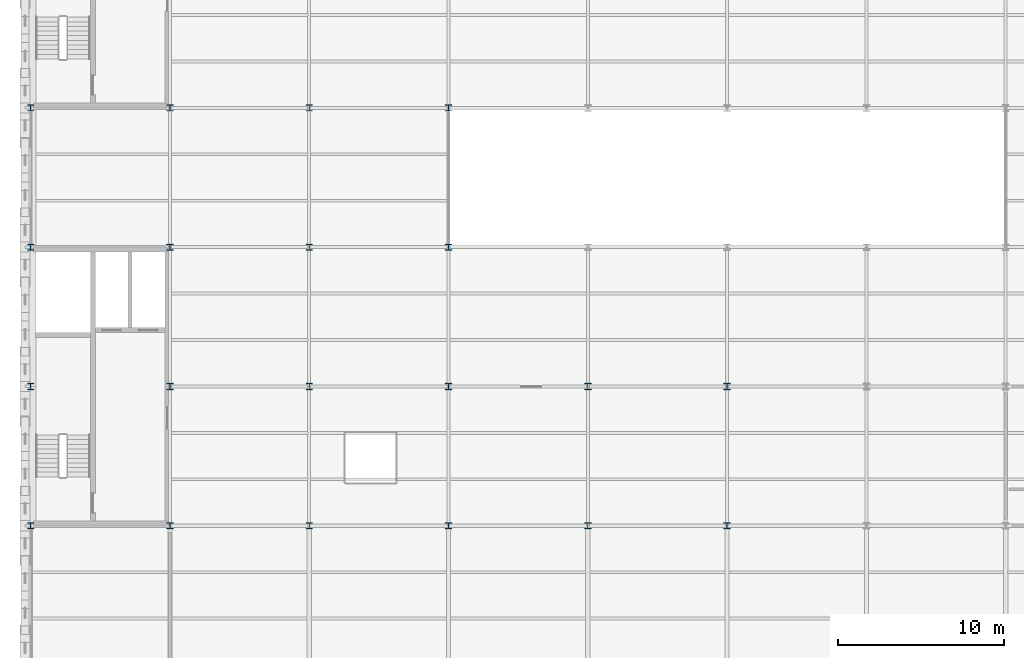
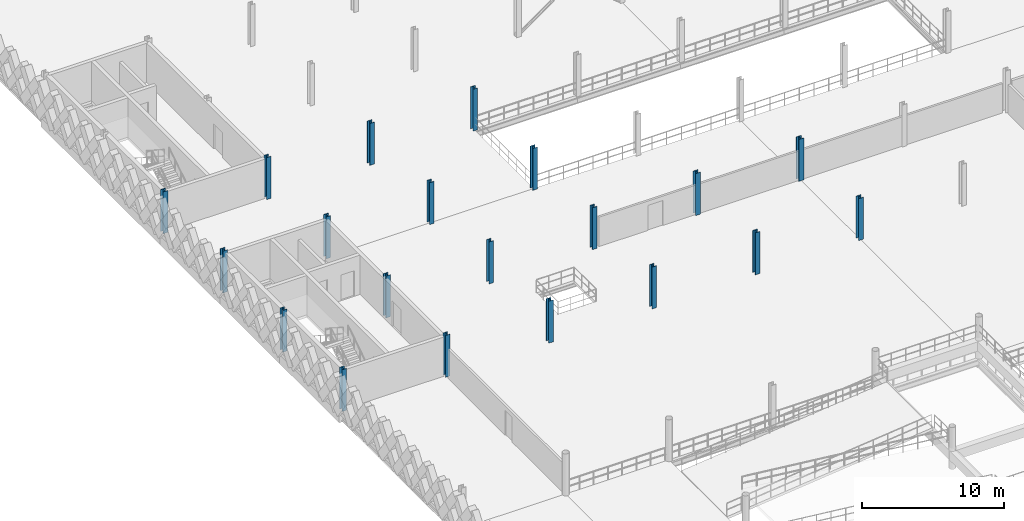
# One storey, part 3 of 79: 20 columns.
"""IFC4 building model written with IfcOpenShell, lengths in metres."""

from ifc_helpers import new_model, si_unit, direction, frame, origin, origin_2d, place, context, subcontext, project, spatial, i_section, extrude, material, material_profile, profile_set, type_object, element, save


model = new_model("IFC4")

# Units and contexts
model_context = context("Model", 3, precision=1e-05, world=origin(), true_north=direction((0.0, 1.0)))
body_context = subcontext(model_context, "Body", "Model", "MODEL_VIEW")
ifc_project = project(units=[si_unit("LENGTHUNIT", "METRE"), si_unit("AREAUNIT", "SQUARE_METRE"), si_unit("VOLUMEUNIT", "CUBIC_METRE"), si_unit("PLANEANGLEUNIT", "RADIAN"), si_unit("MASSUNIT", "GRAM", prefix="KILO"), si_unit("THERMODYNAMICTEMPERATUREUNIT", "KELVIN"), si_unit("POWERUNIT", "WATT")], contexts=[model_context])

# Site, building, storey
site_placement = place(None, origin())
site = spatial("IfcSite", under=ifc_project, at=site_placement, CompositionType="ELEMENT")
building_placement = place(site_placement, origin())
building = spatial("IfcBuilding", under=site, at=building_placement, Name="Tembeka Court Mobility Hub", CompositionType="ELEMENT")
storey_placement = place(building_placement, frame((0.0, 0.0, 9.0)))
storey = spatial("IfcBuildingStorey", under=building, at=storey_placement, Name="L02", CompositionType="ELEMENT", Elevation=9.0)

# Columns
ifc_material = material(Name="Steel S355", Category="steel")
ifc_material_profile_1 = material_profile(ifc_material, i_section(OverallWidth=0.39501953125, OverallDepth=0.381103515625, WebThickness=0.018310546875, FlangeThickness=0.0302734375, FilletRadius=0.01513671875, at=origin_2d()), Name="UKC 356x406x235")
ifc_profile_set_1 = profile_set([ifc_material_profile_1], Name="Steel S355")
column_type_1 = type_object("IfcColumnType", Name="COL-C02", PredefinedType="COLUMN", material=ifc_profile_set_1)
for number, where, z_axis, x_axis, name in (
    (1, (33.60009765625, 38.39990234375, 0.0), (0.0, 0.0, 1.0), (1.0, 0.0, 0.0), "Column C02 (L02-050)"),
    (2, (33.60009765625, 46.800048828125, 0.0), (0.0, 0.0, 1.0), (1.0, 0.0, 0.0), "Column C02 (L02-051)"),
    (3, (42.0, 38.39990234375, 0.0), (0.0, 0.0, 1.0), (1.0, 0.0, 0.0), "Column C02 (L02-062)"),
    (4, (42.0, 46.800048828125, 0.0), (0.0, 0.0, 1.0), (1.0, 0.0, 0.0), "Column C02 (L02-063)"),
):
    element("IfcColumn", number, at=place(storey_placement, frame(where, z_axis=z_axis, x_axis=x_axis)), inside=storey, type_object=column_type_1, Name=name, PredefinedType="COLUMN", context=body_context, shape_type="SweptSolid", body=[
        extrude(i_section(OverallWidth=0.39501953125, OverallDepth=0.381103515625, WebThickness=0.018310546875, FlangeThickness=0.0302734375, FilletRadius=0.01513671875, at=origin_2d()), origin(), (0.0, 0.0, 1.0), 3.60009765625),
    ])
ifc_material_profile_2 = material_profile(ifc_material, i_section(OverallWidth=0.373046875, OverallDepth=0.367919921875, WebThickness=0.014404296875, FlangeThickness=0.023681640625, FilletRadius=0.01513671875, at=origin_2d()), Name="UKC 356x368x177")
ifc_profile_set_2 = profile_set([ifc_material_profile_2], Name="Steel S355")
column_type_2 = type_object("IfcColumnType", Name="COL-C03", PredefinedType="COLUMN", material=ifc_profile_set_2)
for number, where, z_axis, x_axis, name in (
    (5, (0.0, 38.39990234375, 0.0), (0.0, 0.0, 1.0), (1.0, 0.0, 0.0), "Column C03 (L02-004)"),
    (6, (0.0, 46.800048828125, 0.0), (0.0, 0.0, 1.0), (1.0, 0.0, 0.0), "Column C03 (L02-005)"),
    (7, (0.0, 55.199951171875, 0.0), (0.0, 0.0, 1.0), (1.0, 0.0, 0.0), "Column C03 (L02-006)"),
    (8, (0.0, 63.60009765625, 0.0), (0.0, 0.0, 1.0), (1.0, 0.0, 0.0), "Column C03 (L02-007)"),
    (9, (8.39990234375, 38.39990234375, 0.0), (0.0, 0.0, 1.0), (1.0, 0.0, 0.0), "Column C03 (L02-016)"),
    (10, (8.39990234375, 46.800048828125, 0.0), (0.0, 0.0, 1.0), (1.0, 0.0, 0.0), "Column C03 (L02-017)"),
    (11, (8.39990234375, 55.199951171875, 0.0), (0.0, 0.0, 1.0), (1.0, 0.0, 0.0), "Column C03 (L02-018)"),
    (12, (8.39990234375, 63.60009765625, 0.0), (0.0, 0.0, 1.0), (1.0, 0.0, 0.0), "Column C03 (L02-019)"),
    (13, (16.800048828125, 38.39990234375, 0.0), (0.0, 0.0, 1.0), (1.0, 0.0, 0.0), "Column C03 (L02-028)"),
    (14, (16.800048828125, 46.800048828125, 0.0), (0.0, 0.0, 1.0), (1.0, 0.0, 0.0), "Column C03 (L02-029)"),
    (15, (16.800048828125, 55.199951171875, 0.0), (0.0, 0.0, 1.0), (1.0, 0.0, 0.0), "Column C03 (L02-030)"),
    (16, (16.800048828125, 63.60009765625, 0.0), (0.0, 0.0, 1.0), (1.0, 0.0, 0.0), "Column C03 (L02-031)"),
    (17, (25.199951171875, 38.39990234375, 0.0), (0.0, 0.0, 1.0), (1.0, 0.0, 0.0), "Column C03 (L02-039)"),
    (18, (25.199951171875, 46.800048828125, 0.0), (0.0, 0.0, 1.0), (1.0, 0.0, 0.0), "Column C03 (L02-040)"),
    (19, (25.199951171875, 55.199951171875, 0.0), (0.0, 0.0, 1.0), (1.0, 0.0, 0.0), "Column C03 (L02-041)"),
    (20, (25.199951171875, 63.60009765625, 0.0), (0.0, 0.0, 1.0), (1.0, 0.0, 0.0), "Column C03 (L02-042)"),
):
    element("IfcColumn", number, at=place(storey_placement, frame(where, z_axis=z_axis, x_axis=x_axis)), inside=storey, type_object=column_type_2, Name=name, PredefinedType="COLUMN", context=body_context, shape_type="SweptSolid", body=[
        extrude(i_section(OverallWidth=0.373046875, OverallDepth=0.367919921875, WebThickness=0.014404296875, FlangeThickness=0.023681640625, FilletRadius=0.01513671875, at=origin_2d()), origin(), (0.0, 0.0, 1.0), 3.60009765625),
    ])

save(model, "model.ifc")
